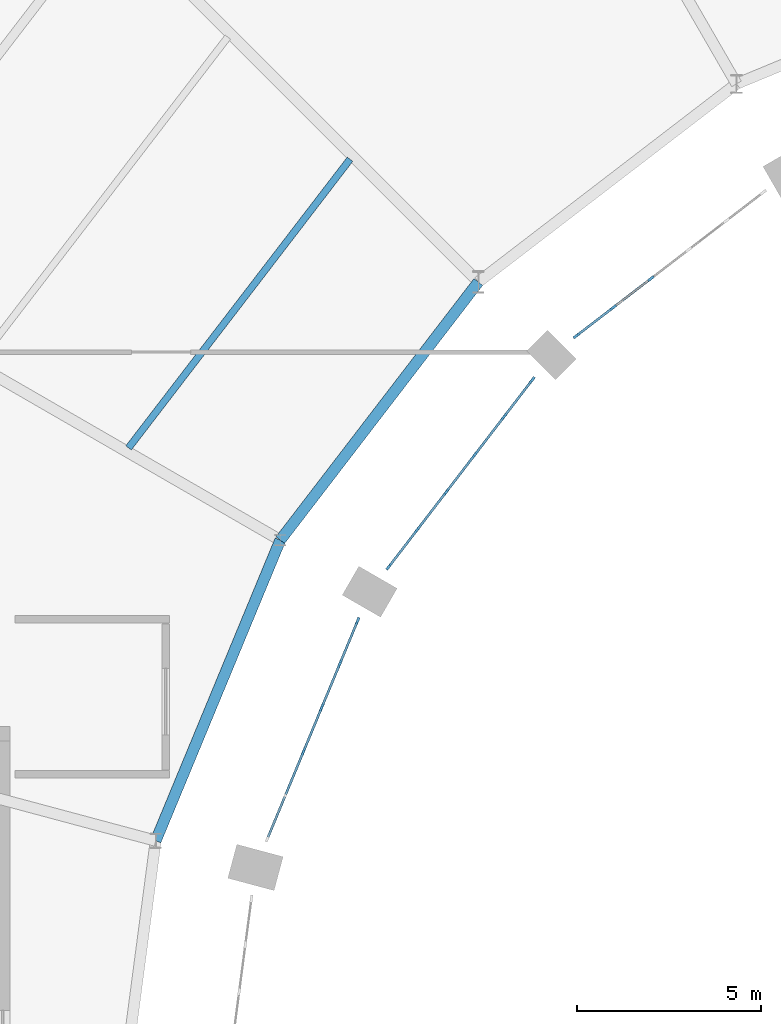
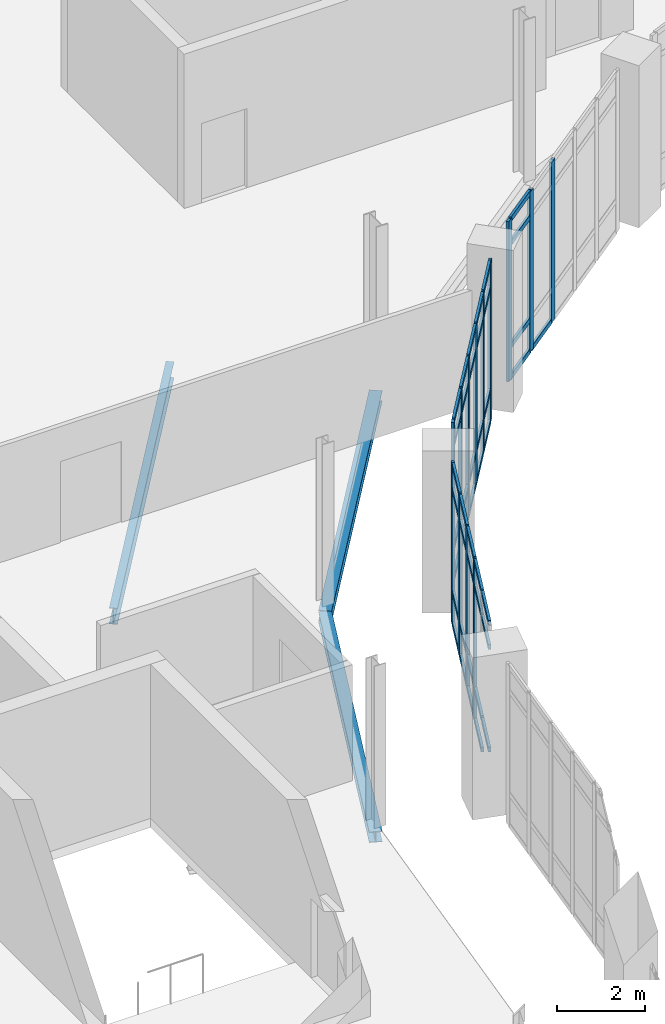
# One storey, part 31 of 67: 57 members, 3 beams, 3 elements without a shape of their own.
"""IFC4 building model written with IfcOpenShell, lengths in metres."""

from ifc_helpers import new_model, si_unit, direction, frame, origin, origin_2d, place, context, subcontext, project, spatial, rectangle, i_section, extrude, material, layer, layer_set, material_profile, profile_set, type_object, element, aggregate, save


model = new_model("IFC4")

# Units and contexts
model_context = context("Model", 3, precision=1e-05, world=origin(), true_north=direction((0.0, 1.0)))
body_context = subcontext(model_context, "Body", "Model", "MODEL_VIEW")
ifc_project = project(units=[si_unit("LENGTHUNIT", "METRE"), si_unit("AREAUNIT", "SQUARE_METRE"), si_unit("VOLUMEUNIT", "CUBIC_METRE"), si_unit("PLANEANGLEUNIT", "RADIAN"), si_unit("MASSUNIT", "GRAM", prefix="KILO")], contexts=[model_context])

# Site, building, storey
site_placement = place(None, origin())
site = spatial("IfcSite", under=ifc_project, at=site_placement, CompositionType="ELEMENT")
building_placement = place(site_placement, origin())
building = spatial("IfcBuilding", under=site, at=building_placement, Name="Sohan Crest Arena", CompositionType="ELEMENT")
storey_placement = place(building_placement, frame((0.0, 0.0, 22.5)))
storey = spatial("IfcBuildingStorey", under=building, at=storey_placement, Name="L05", CompositionType="ELEMENT", Elevation=22.5)

# Curtain wall, members
ifc_material_1 = material(Name="Thermally broken anodised aluminium", Category="aluminium")
ifc_layer = layer(ifc_material_1, 0.18994140625, Name="Thermally broken anodised aluminium")
ifc_layer_set = layer_set([ifc_layer], Name="Thermally broken anodised aluminium")
curtain_wall_type = type_object("IfcCurtainWallType", Name="ARC-CW05", PredefinedType="NOTDEFINED", material=ifc_layer_set)
curtain_wall_1_placement = place(storey_placement, origin())
curtain_wall_1 = element("IfcCurtainWall", 1, at=curtain_wall_1_placement, inside=storey, type_object=curtain_wall_type, Name="Unitised curtain wall CW-168", PredefinedType="NOTDEFINED")
ifc_material_profile_1 = material_profile(ifc_material_1, rectangle(XDim=0.070068359375, YDim=0.199951171875, at=origin_2d()), Name="ALU-MULL 70x200")
ifc_profile_set_1 = profile_set([ifc_material_profile_1], Name="Thermally broken anodised aluminium")
member_type_1 = type_object("IfcMemberType", Name="ARC-CW-ML03", PredefinedType="MULLION", material=ifc_profile_set_1)
member_1_placement = place(storey_placement, frame((78.7783203125, 101.990478515625, 0.0), z_axis=(0.0, 0.0, 1.0), x_axis=(0.608939000248, -0.793217053508, 0.0)))
member_1 = element("IfcMember", 2, at=member_1_placement, type_object=member_type_1, Name="CW-168 mullion 4", PredefinedType="MULLION", context=body_context, shape_type="SweptSolid", body=[
    extrude(rectangle(XDim=0.070068359375, YDim=0.199951171875, at=origin_2d()), origin(), (0.0, 0.0, 1.0), 4.449951171875),
])
member_2_placement = place(storey_placement, frame((77.754638671875, 101.204833984375, 0.0), z_axis=(0.0, 0.0, 1.0), x_axis=(0.608939000248, -0.793217053508, 0.0)))
member_2 = element("IfcMember", 3, at=member_2_placement, type_object=member_type_1, Name="CW-168 mullion 5", PredefinedType="MULLION", context=body_context, shape_type="SweptSolid", body=[
    extrude(rectangle(XDim=0.070068359375, YDim=0.199951171875, at=origin_2d()), origin(), (0.0, 0.0, 1.0), 4.449951171875),
])
member_3_placement = place(storey_placement, frame((76.7587890625, 100.4404296875, 0.0), z_axis=(0.0, 0.0, 1.0), x_axis=(0.608939000248, -0.793217053508, 0.0)))
member_3 = element("IfcMember", 4, at=member_3_placement, type_object=member_type_1, Name="CW-168 mullion 6", PredefinedType="MULLION", context=body_context, shape_type="SweptSolid", body=[
    extrude(rectangle(XDim=0.070068359375, YDim=0.199951171875, at=origin_2d()), origin(), (0.0, 0.0, 1.0), 4.449951171875),
])

curtain_wall_2_placement = place(storey_placement, origin())
curtain_wall_2 = element("IfcCurtainWall", 5, at=curtain_wall_2_placement, inside=storey, type_object=curtain_wall_type, Name="Unitised curtain wall CW-170", PredefinedType="NOTDEFINED")
member_4_placement = place(storey_placement, frame((75.5595703125, 99.2412109375, 0.0), z_axis=(0.0, 0.0, 1.0), x_axis=(0.793217053508, -0.608939000248, 0.0)))
member_4 = element("IfcMember", 6, at=member_4_placement, type_object=member_type_1, Name="CW-170 mullion 1", PredefinedType="MULLION", context=body_context, shape_type="SweptSolid", body=[
    extrude(rectangle(XDim=0.070068359375, YDim=0.199951171875, at=origin_2d()), origin(), (0.0, 0.0, 1.0), 4.449951171875),
])
member_5_placement = place(storey_placement, frame((74.795166015625, 98.245361328125, 0.0), z_axis=(0.0, 0.0, 1.0), x_axis=(0.793217053508, -0.608939000248, 0.0)))
member_5 = element("IfcMember", 7, at=member_5_placement, type_object=member_type_1, Name="CW-170 mullion 2", PredefinedType="MULLION", context=body_context, shape_type="SweptSolid", body=[
    extrude(rectangle(XDim=0.070068359375, YDim=0.199951171875, at=origin_2d()), origin(), (0.0, 0.0, 1.0), 4.449951171875),
])
member_6_placement = place(storey_placement, frame((74.009521484375, 97.2216796875, 0.0), z_axis=(0.0, 0.0, 1.0), x_axis=(0.793217053508, -0.608939000248, 0.0)))
member_6 = element("IfcMember", 8, at=member_6_placement, type_object=member_type_1, Name="CW-170 mullion 3", PredefinedType="MULLION", context=body_context, shape_type="SweptSolid", body=[
    extrude(rectangle(XDim=0.070068359375, YDim=0.199951171875, at=origin_2d()), origin(), (0.0, 0.0, 1.0), 4.449951171875),
])
member_7_placement = place(storey_placement, frame((73.2236328125, 96.1982421875, 0.0), z_axis=(0.0, 0.0, 1.0), x_axis=(0.793217053508, -0.608939000248, 0.0)))
member_7 = element("IfcMember", 9, at=member_7_placement, type_object=member_type_1, Name="CW-170 mullion 4", PredefinedType="MULLION", context=body_context, shape_type="SweptSolid", body=[
    extrude(rectangle(XDim=0.070068359375, YDim=0.199951171875, at=origin_2d()), origin(), (0.0, 0.0, 1.0), 4.449951171875),
])
member_8_placement = place(storey_placement, frame((72.437744140625, 95.174560546875, 0.0), z_axis=(0.0, 0.0, 1.0), x_axis=(0.793217053508, -0.608939000248, 0.0)))
member_8 = element("IfcMember", 10, at=member_8_placement, type_object=member_type_1, Name="CW-170 mullion 5", PredefinedType="MULLION", context=body_context, shape_type="SweptSolid", body=[
    extrude(rectangle(XDim=0.070068359375, YDim=0.199951171875, at=origin_2d()), origin(), (0.0, 0.0, 1.0), 4.449951171875),
])
member_9_placement = place(storey_placement, frame((71.67333984375, 94.1787109375, 0.0), z_axis=(0.0, 0.0, 1.0), x_axis=(0.793217053508, -0.608939000248, 0.0)))
member_9 = element("IfcMember", 11, at=member_9_placement, type_object=member_type_1, Name="CW-170 mullion 6", PredefinedType="MULLION", context=body_context, shape_type="SweptSolid", body=[
    extrude(rectangle(XDim=0.070068359375, YDim=0.199951171875, at=origin_2d()), origin(), (0.0, 0.0, 1.0), 4.449951171875),
])

curtain_wall_3_placement = place(storey_placement, origin())
curtain_wall_3 = element("IfcCurtainWall", 12, at=curtain_wall_3_placement, inside=storey, type_object=curtain_wall_type, Name="Unitised curtain wall CW-172", PredefinedType="NOTDEFINED")
member_10_placement = place(storey_placement, frame((70.82568359375, 92.709716796875, 0.0), z_axis=(0.0, 0.0, 1.0), x_axis=(0.923886494023, -0.382666625357, 0.0)))
member_10 = element("IfcMember", 13, at=member_10_placement, type_object=member_type_1, Name="CW-172 mullion 1", PredefinedType="MULLION", context=body_context, shape_type="SweptSolid", body=[
    extrude(rectangle(XDim=0.070068359375, YDim=0.199951171875, at=origin_2d()), origin(), (0.0, 0.0, 1.0), 4.449951171875),
])
member_11_placement = place(storey_placement, frame((70.34521484375, 91.5498046875, 0.0), z_axis=(0.0, 0.0, 1.0), x_axis=(0.923886494023, -0.382666625357, 0.0)))
member_11 = element("IfcMember", 14, at=member_11_placement, type_object=member_type_1, Name="CW-172 mullion 2", PredefinedType="MULLION", context=body_context, shape_type="SweptSolid", body=[
    extrude(rectangle(XDim=0.070068359375, YDim=0.199951171875, at=origin_2d()), origin(), (0.0, 0.0, 1.0), 4.449951171875),
])
member_12_placement = place(storey_placement, frame((69.851318359375, 90.357666015625, 0.0), z_axis=(0.0, 0.0, 1.0), x_axis=(0.923886494023, -0.382666625357, 0.0)))
member_12 = element("IfcMember", 15, at=member_12_placement, type_object=member_type_1, Name="CW-172 mullion 3", PredefinedType="MULLION", context=body_context, shape_type="SweptSolid", body=[
    extrude(rectangle(XDim=0.070068359375, YDim=0.199951171875, at=origin_2d()), origin(), (0.0, 0.0, 1.0), 4.449951171875),
])
member_13_placement = place(storey_placement, frame((69.357666015625, 89.165283203125, 0.0), z_axis=(0.0, 0.0, 1.0), x_axis=(0.923886494023, -0.382666625357, 0.0)))
member_13 = element("IfcMember", 16, at=member_13_placement, type_object=member_type_1, Name="CW-172 mullion 4", PredefinedType="MULLION", context=body_context, shape_type="SweptSolid", body=[
    extrude(rectangle(XDim=0.070068359375, YDim=0.199951171875, at=origin_2d()), origin(), (0.0, 0.0, 1.0), 4.449951171875),
])

# Member
ifc_material_profile_2 = material_profile(ifc_material_1, rectangle(XDim=0.06494140625, YDim=0.139892578125, at=origin_2d()), Name="ALU-TRAN 65x140")
ifc_profile_set_2 = profile_set([ifc_material_profile_2], Name="Thermally broken anodised aluminium")
member_type_2 = type_object("IfcMemberType", Name="ARC-CW-TR02", PredefinedType="USERDEFINED", material=ifc_profile_set_2)
member_14_placement = place(storey_placement, frame((78.75048828125, 101.96923828125, 0.032470703125), z_axis=(-0.793203705004, -0.608956387903, 0.0), x_axis=(0.608956387903, -0.793203705004, 0.0)))
member_14 = element("IfcMember", 17, at=member_14_placement, type_object=member_type_2, Name="CW-168 transom 4.1", ObjectType="TRANSOM", PredefinedType="USERDEFINED", context=body_context, shape_type="SweptSolid", body=[
    extrude(rectangle(XDim=0.06494140625, YDim=0.139892578125, at=origin_2d()), origin(), (0.0, 0.0, 1.0), 1.220458984375),
])

member_15_placement = place(storey_placement, frame((77.726806640625, 101.18359375, 0.032470703125), z_axis=(-0.793151990467, -0.609023743394, 0.0), x_axis=(0.609023743394, -0.793151990467, 0.0)))
member_15 = element("IfcMember", 18, at=member_15_placement, type_object=member_type_2, Name="CW-168 transom 5.1", ObjectType="TRANSOM", PredefinedType="USERDEFINED", context=body_context, shape_type="SweptSolid", body=[
    extrude(rectangle(XDim=0.06494140625, YDim=0.139892578125, at=origin_2d()), origin(), (0.0, 0.0, 1.0), 1.185302734375),
])

member_16_placement = place(storey_placement, frame((77.726806640625, 101.18359375, 0.89990234375), z_axis=(-0.793151990467, -0.609023743394, 0.0), x_axis=(0.609023743394, -0.793151990467, 0.0)))
member_16 = element("IfcMember", 19, at=member_16_placement, type_object=member_type_2, Name="CW-168 transom 5.2", ObjectType="TRANSOM", PredefinedType="USERDEFINED", context=body_context, shape_type="SweptSolid", body=[
    extrude(rectangle(XDim=0.06494140625, YDim=0.139892578125, at=origin_2d()), origin(), (0.0, 0.0, 1.0), 1.185302734375),
])

member_17_placement = place(storey_placement, frame((77.726806640625, 101.18359375, 3.75), z_axis=(-0.793151990467, -0.609023743394, 0.0), x_axis=(0.609023743394, -0.793151990467, 0.0)))
member_17 = element("IfcMember", 20, at=member_17_placement, type_object=member_type_2, Name="CW-168 transom 5.3", ObjectType="TRANSOM", PredefinedType="USERDEFINED", context=body_context, shape_type="SweptSolid", body=[
    extrude(rectangle(XDim=0.06494140625, YDim=0.139892578125, at=origin_2d()), origin(), (0.0, 0.0, 1.0), 1.185302734375),
])

member_18_placement = place(storey_placement, frame((77.726806640625, 101.18359375, 4.41748046875), z_axis=(-0.793151990467, -0.609023743394, 0.0), x_axis=(0.609023743394, -0.793151990467, 0.0)))
member_18 = element("IfcMember", 21, at=member_18_placement, type_object=member_type_2, Name="CW-168 transom 5.4", ObjectType="TRANSOM", PredefinedType="USERDEFINED", context=body_context, shape_type="SweptSolid", body=[
    extrude(rectangle(XDim=0.06494140625, YDim=0.139892578125, at=origin_2d()), origin(), (0.0, 0.0, 1.0), 1.185302734375),
])

aggregate(curtain_wall_1, [member_1, member_2, member_3, member_14, member_15, member_16, member_17, member_18])

member_19_placement = place(storey_placement, frame((75.538330078125, 99.21337890625, 0.032470703125), z_axis=(-0.609023743394, -0.793151990467, 0.0), x_axis=(0.793151990467, -0.609023743394, 0.0)))
member_19 = element("IfcMember", 22, at=member_19_placement, type_object=member_type_2, Name="CW-170 transom 1.1", ObjectType="TRANSOM", PredefinedType="USERDEFINED", context=body_context, shape_type="SweptSolid", body=[
    extrude(rectangle(XDim=0.06494140625, YDim=0.139892578125, at=origin_2d()), origin(), (0.0, 0.0, 1.0), 1.185302734375),
])

member_20_placement = place(storey_placement, frame((75.538330078125, 99.21337890625, 0.89990234375), z_axis=(-0.609023743394, -0.793151990467, 0.0), x_axis=(0.793151990467, -0.609023743394, 0.0)))
member_20 = element("IfcMember", 23, at=member_20_placement, type_object=member_type_2, Name="CW-170 transom 1.2", ObjectType="TRANSOM", PredefinedType="USERDEFINED", context=body_context, shape_type="SweptSolid", body=[
    extrude(rectangle(XDim=0.06494140625, YDim=0.139892578125, at=origin_2d()), origin(), (0.0, 0.0, 1.0), 1.185302734375),
])

member_21_placement = place(storey_placement, frame((75.538330078125, 99.21337890625, 3.75), z_axis=(-0.609023743394, -0.793151990467, 0.0), x_axis=(0.793151990467, -0.609023743394, 0.0)))
member_21 = element("IfcMember", 24, at=member_21_placement, type_object=member_type_2, Name="CW-170 transom 1.3", ObjectType="TRANSOM", PredefinedType="USERDEFINED", context=body_context, shape_type="SweptSolid", body=[
    extrude(rectangle(XDim=0.06494140625, YDim=0.139892578125, at=origin_2d()), origin(), (0.0, 0.0, 1.0), 1.185302734375),
])

member_22_placement = place(storey_placement, frame((75.538330078125, 99.21337890625, 4.41748046875), z_axis=(-0.609023743394, -0.793151990467, 0.0), x_axis=(0.793151990467, -0.609023743394, 0.0)))
member_22 = element("IfcMember", 25, at=member_22_placement, type_object=member_type_2, Name="CW-170 transom 1.4", ObjectType="TRANSOM", PredefinedType="USERDEFINED", context=body_context, shape_type="SweptSolid", body=[
    extrude(rectangle(XDim=0.06494140625, YDim=0.139892578125, at=origin_2d()), origin(), (0.0, 0.0, 1.0), 1.185302734375),
])

member_23_placement = place(storey_placement, frame((74.77392578125, 98.217529296875, 0.032470703125), z_axis=(-0.608956387903, -0.793203705004, 0.0), x_axis=(0.793203705004, -0.608956387903, 0.0)))
member_23 = element("IfcMember", 26, at=member_23_placement, type_object=member_type_2, Name="CW-170 transom 2.1", ObjectType="TRANSOM", PredefinedType="USERDEFINED", context=body_context, shape_type="SweptSolid", body=[
    extrude(rectangle(XDim=0.06494140625, YDim=0.139892578125, at=origin_2d()), origin(), (0.0, 0.0, 1.0), 1.220458984375),
])

member_24_placement = place(storey_placement, frame((74.77392578125, 98.217529296875, 0.89990234375), z_axis=(-0.608956387903, -0.793203705004, 0.0), x_axis=(0.793203705004, -0.608956387903, 0.0)))
member_24 = element("IfcMember", 27, at=member_24_placement, type_object=member_type_2, Name="CW-170 transom 2.2", ObjectType="TRANSOM", PredefinedType="USERDEFINED", context=body_context, shape_type="SweptSolid", body=[
    extrude(rectangle(XDim=0.06494140625, YDim=0.139892578125, at=origin_2d()), origin(), (0.0, 0.0, 1.0), 1.220458984375),
])

member_25_placement = place(storey_placement, frame((74.77392578125, 98.217529296875, 3.75), z_axis=(-0.608956387903, -0.793203705004, 0.0), x_axis=(0.793203705004, -0.608956387903, 0.0)))
member_25 = element("IfcMember", 28, at=member_25_placement, type_object=member_type_2, Name="CW-170 transom 2.3", ObjectType="TRANSOM", PredefinedType="USERDEFINED", context=body_context, shape_type="SweptSolid", body=[
    extrude(rectangle(XDim=0.06494140625, YDim=0.139892578125, at=origin_2d()), origin(), (0.0, 0.0, 1.0), 1.220458984375),
])

member_26_placement = place(storey_placement, frame((74.77392578125, 98.217529296875, 4.41748046875), z_axis=(-0.608956387903, -0.793203705004, 0.0), x_axis=(0.793203705004, -0.608956387903, 0.0)))
member_26 = element("IfcMember", 29, at=member_26_placement, type_object=member_type_2, Name="CW-170 transom 2.4", ObjectType="TRANSOM", PredefinedType="USERDEFINED", context=body_context, shape_type="SweptSolid", body=[
    extrude(rectangle(XDim=0.06494140625, YDim=0.139892578125, at=origin_2d()), origin(), (0.0, 0.0, 1.0), 1.220458984375),
])

member_27_placement = place(storey_placement, frame((73.988037109375, 97.194091796875, 0.032470703125), z_axis=(-0.608956387903, -0.793203705004, 0.0), x_axis=(0.793203705004, -0.608956387903, 0.0)))
member_27 = element("IfcMember", 30, at=member_27_placement, type_object=member_type_2, Name="CW-170 transom 3.1", ObjectType="TRANSOM", PredefinedType="USERDEFINED", context=body_context, shape_type="SweptSolid", body=[
    extrude(rectangle(XDim=0.06494140625, YDim=0.139892578125, at=origin_2d()), origin(), (0.0, 0.0, 1.0), 1.220458984375),
])

member_28_placement = place(storey_placement, frame((73.988037109375, 97.194091796875, 0.89990234375), z_axis=(-0.608956387903, -0.793203705004, 0.0), x_axis=(0.793203705004, -0.608956387903, 0.0)))
member_28 = element("IfcMember", 31, at=member_28_placement, type_object=member_type_2, Name="CW-170 transom 3.2", ObjectType="TRANSOM", PredefinedType="USERDEFINED", context=body_context, shape_type="SweptSolid", body=[
    extrude(rectangle(XDim=0.06494140625, YDim=0.139892578125, at=origin_2d()), origin(), (0.0, 0.0, 1.0), 1.220458984375),
])

member_29_placement = place(storey_placement, frame((73.988037109375, 97.194091796875, 3.75), z_axis=(-0.608956387903, -0.793203705004, 0.0), x_axis=(0.793203705004, -0.608956387903, 0.0)))
member_29 = element("IfcMember", 32, at=member_29_placement, type_object=member_type_2, Name="CW-170 transom 3.3", ObjectType="TRANSOM", PredefinedType="USERDEFINED", context=body_context, shape_type="SweptSolid", body=[
    extrude(rectangle(XDim=0.06494140625, YDim=0.139892578125, at=origin_2d()), origin(), (0.0, 0.0, 1.0), 1.220458984375),
])

member_30_placement = place(storey_placement, frame((73.988037109375, 97.194091796875, 4.41748046875), z_axis=(-0.608956387903, -0.793203705004, 0.0), x_axis=(0.793203705004, -0.608956387903, 0.0)))
member_30 = element("IfcMember", 33, at=member_30_placement, type_object=member_type_2, Name="CW-170 transom 3.4", ObjectType="TRANSOM", PredefinedType="USERDEFINED", context=body_context, shape_type="SweptSolid", body=[
    extrude(rectangle(XDim=0.06494140625, YDim=0.139892578125, at=origin_2d()), origin(), (0.0, 0.0, 1.0), 1.220458984375),
])

member_31_placement = place(storey_placement, frame((73.202392578125, 96.17041015625, 0.032470703125), z_axis=(-0.608956387903, -0.793203705004, 0.0), x_axis=(0.793203705004, -0.608956387903, 0.0)))
member_31 = element("IfcMember", 34, at=member_31_placement, type_object=member_type_2, Name="CW-170 transom 4.1", ObjectType="TRANSOM", PredefinedType="USERDEFINED", context=body_context, shape_type="SweptSolid", body=[
    extrude(rectangle(XDim=0.06494140625, YDim=0.139892578125, at=origin_2d()), origin(), (0.0, 0.0, 1.0), 1.220458984375),
])

member_32_placement = place(storey_placement, frame((73.202392578125, 96.17041015625, 0.89990234375), z_axis=(-0.608956387903, -0.793203705004, 0.0), x_axis=(0.793203705004, -0.608956387903, 0.0)))
member_32 = element("IfcMember", 35, at=member_32_placement, type_object=member_type_2, Name="CW-170 transom 4.2", ObjectType="TRANSOM", PredefinedType="USERDEFINED", context=body_context, shape_type="SweptSolid", body=[
    extrude(rectangle(XDim=0.06494140625, YDim=0.139892578125, at=origin_2d()), origin(), (0.0, 0.0, 1.0), 1.220458984375),
])

member_33_placement = place(storey_placement, frame((73.202392578125, 96.17041015625, 3.75), z_axis=(-0.608956387903, -0.793203705004, 0.0), x_axis=(0.793203705004, -0.608956387903, 0.0)))
member_33 = element("IfcMember", 36, at=member_33_placement, type_object=member_type_2, Name="CW-170 transom 4.3", ObjectType="TRANSOM", PredefinedType="USERDEFINED", context=body_context, shape_type="SweptSolid", body=[
    extrude(rectangle(XDim=0.06494140625, YDim=0.139892578125, at=origin_2d()), origin(), (0.0, 0.0, 1.0), 1.220458984375),
])

member_34_placement = place(storey_placement, frame((73.202392578125, 96.17041015625, 4.41748046875), z_axis=(-0.608956387903, -0.793203705004, 0.0), x_axis=(0.793203705004, -0.608956387903, 0.0)))
member_34 = element("IfcMember", 37, at=member_34_placement, type_object=member_type_2, Name="CW-170 transom 4.4", ObjectType="TRANSOM", PredefinedType="USERDEFINED", context=body_context, shape_type="SweptSolid", body=[
    extrude(rectangle(XDim=0.06494140625, YDim=0.139892578125, at=origin_2d()), origin(), (0.0, 0.0, 1.0), 1.220458984375),
])

member_35_placement = place(storey_placement, frame((72.41650390625, 95.146728515625, 0.032470703125), z_axis=(-0.609023743394, -0.793151990467, 0.0), x_axis=(0.793151990467, -0.609023743394, 0.0)))
member_35 = element("IfcMember", 38, at=member_35_placement, type_object=member_type_2, Name="CW-170 transom 5.1", ObjectType="TRANSOM", PredefinedType="USERDEFINED", context=body_context, shape_type="SweptSolid", body=[
    extrude(rectangle(XDim=0.06494140625, YDim=0.139892578125, at=origin_2d()), origin(), (0.0, 0.0, 1.0), 1.185302734375),
])

member_36_placement = place(storey_placement, frame((72.41650390625, 95.146728515625, 0.89990234375), z_axis=(-0.609023743394, -0.793151990467, 0.0), x_axis=(0.793151990467, -0.609023743394, 0.0)))
member_36 = element("IfcMember", 39, at=member_36_placement, type_object=member_type_2, Name="CW-170 transom 5.2", ObjectType="TRANSOM", PredefinedType="USERDEFINED", context=body_context, shape_type="SweptSolid", body=[
    extrude(rectangle(XDim=0.06494140625, YDim=0.139892578125, at=origin_2d()), origin(), (0.0, 0.0, 1.0), 1.185302734375),
])

member_37_placement = place(storey_placement, frame((72.41650390625, 95.146728515625, 3.75), z_axis=(-0.609023743394, -0.793151990467, 0.0), x_axis=(0.793151990467, -0.609023743394, 0.0)))
member_37 = element("IfcMember", 40, at=member_37_placement, type_object=member_type_2, Name="CW-170 transom 5.3", ObjectType="TRANSOM", PredefinedType="USERDEFINED", context=body_context, shape_type="SweptSolid", body=[
    extrude(rectangle(XDim=0.06494140625, YDim=0.139892578125, at=origin_2d()), origin(), (0.0, 0.0, 1.0), 1.185302734375),
])

member_38_placement = place(storey_placement, frame((72.41650390625, 95.146728515625, 4.41748046875), z_axis=(-0.609023743394, -0.793151990467, 0.0), x_axis=(0.793151990467, -0.609023743394, 0.0)))
member_38 = element("IfcMember", 41, at=member_38_placement, type_object=member_type_2, Name="CW-170 transom 5.4", ObjectType="TRANSOM", PredefinedType="USERDEFINED", context=body_context, shape_type="SweptSolid", body=[
    extrude(rectangle(XDim=0.06494140625, YDim=0.139892578125, at=origin_2d()), origin(), (0.0, 0.0, 1.0), 1.185302734375),
])

aggregate(curtain_wall_2, [member_4, member_5, member_6, member_7, member_8, member_9, member_19, member_20, member_21, member_22, member_23, member_24, member_25, member_26, member_27, member_28, member_29, member_30, member_31, member_32, member_33, member_34, member_35, member_36, member_37, member_38])

member_39_placement = place(storey_placement, frame((70.812255859375, 92.67724609375, 0.032470703125), z_axis=(-0.382654947151, -0.923891330959, 0.0), x_axis=(0.923891330959, -0.382654947151, 0.0)))
member_39 = element("IfcMember", 42, at=member_39_placement, type_object=member_type_2, Name="CW-172 transom 1.1", ObjectType="TRANSOM", PredefinedType="USERDEFINED", context=body_context, shape_type="SweptSolid", body=[
    extrude(rectangle(XDim=0.06494140625, YDim=0.139892578125, at=origin_2d()), origin(), (0.0, 0.0, 1.0), 1.185546875),
])

member_40_placement = place(storey_placement, frame((70.812255859375, 92.67724609375, 0.89990234375), z_axis=(-0.382654947151, -0.923891330959, 0.0), x_axis=(0.923891330959, -0.382654947151, 0.0)))
member_40 = element("IfcMember", 43, at=member_40_placement, type_object=member_type_2, Name="CW-172 transom 1.2", ObjectType="TRANSOM", PredefinedType="USERDEFINED", context=body_context, shape_type="SweptSolid", body=[
    extrude(rectangle(XDim=0.06494140625, YDim=0.139892578125, at=origin_2d()), origin(), (0.0, 0.0, 1.0), 1.185546875),
])

member_41_placement = place(storey_placement, frame((70.812255859375, 92.67724609375, 3.75), z_axis=(-0.382654947151, -0.923891330959, 0.0), x_axis=(0.923891330959, -0.382654947151, 0.0)))
member_41 = element("IfcMember", 44, at=member_41_placement, type_object=member_type_2, Name="CW-172 transom 1.3", ObjectType="TRANSOM", PredefinedType="USERDEFINED", context=body_context, shape_type="SweptSolid", body=[
    extrude(rectangle(XDim=0.06494140625, YDim=0.139892578125, at=origin_2d()), origin(), (0.0, 0.0, 1.0), 1.185546875),
])

member_42_placement = place(storey_placement, frame((70.812255859375, 92.67724609375, 4.41748046875), z_axis=(-0.382654947151, -0.923891330959, 0.0), x_axis=(0.923891330959, -0.382654947151, 0.0)))
member_42 = element("IfcMember", 45, at=member_42_placement, type_object=member_type_2, Name="CW-172 transom 1.4", ObjectType="TRANSOM", PredefinedType="USERDEFINED", context=body_context, shape_type="SweptSolid", body=[
    extrude(rectangle(XDim=0.06494140625, YDim=0.139892578125, at=origin_2d()), origin(), (0.0, 0.0, 1.0), 1.185546875),
])

member_43_placement = place(storey_placement, frame((70.331787109375, 91.517578125, 0.032470703125), z_axis=(-0.382640332417, -0.923897383917, 0.0), x_axis=(0.923897383917, -0.382640332417, 0.0)))
member_43 = element("IfcMember", 46, at=member_43_placement, type_object=member_type_2, Name="CW-172 transom 2.1", ObjectType="TRANSOM", PredefinedType="USERDEFINED", context=body_context, shape_type="SweptSolid", body=[
    extrude(rectangle(XDim=0.06494140625, YDim=0.139892578125, at=origin_2d()), origin(), (0.0, 0.0, 1.0), 1.220458984375),
])

member_44_placement = place(storey_placement, frame((70.331787109375, 91.517578125, 0.89990234375), z_axis=(-0.382640332417, -0.923897383917, 0.0), x_axis=(0.923897383917, -0.382640332417, 0.0)))
member_44 = element("IfcMember", 47, at=member_44_placement, type_object=member_type_2, Name="CW-172 transom 2.2", ObjectType="TRANSOM", PredefinedType="USERDEFINED", context=body_context, shape_type="SweptSolid", body=[
    extrude(rectangle(XDim=0.06494140625, YDim=0.139892578125, at=origin_2d()), origin(), (0.0, 0.0, 1.0), 1.220458984375),
])

member_45_placement = place(storey_placement, frame((70.331787109375, 91.517578125, 3.75), z_axis=(-0.382640332417, -0.923897383917, 0.0), x_axis=(0.923897383917, -0.382640332417, 0.0)))
member_45 = element("IfcMember", 48, at=member_45_placement, type_object=member_type_2, Name="CW-172 transom 2.3", ObjectType="TRANSOM", PredefinedType="USERDEFINED", context=body_context, shape_type="SweptSolid", body=[
    extrude(rectangle(XDim=0.06494140625, YDim=0.139892578125, at=origin_2d()), origin(), (0.0, 0.0, 1.0), 1.220458984375),
])

member_46_placement = place(storey_placement, frame((70.331787109375, 91.517578125, 4.41748046875), z_axis=(-0.382640332417, -0.923897383917, 0.0), x_axis=(0.923897383917, -0.382640332417, 0.0)))
member_46 = element("IfcMember", 49, at=member_46_placement, type_object=member_type_2, Name="CW-172 transom 2.4", ObjectType="TRANSOM", PredefinedType="USERDEFINED", context=body_context, shape_type="SweptSolid", body=[
    extrude(rectangle(XDim=0.06494140625, YDim=0.139892578125, at=origin_2d()), origin(), (0.0, 0.0, 1.0), 1.220458984375),
])

member_47_placement = place(storey_placement, frame((69.837890625, 90.3251953125, 0.032470703125), z_axis=(-0.382540280289, -0.92393881505, 0.0), x_axis=(0.92393881505, -0.382540280289, 0.0)))
member_47 = element("IfcMember", 50, at=member_47_placement, type_object=member_type_2, Name="CW-172 transom 3.1", ObjectType="TRANSOM", PredefinedType="USERDEFINED", context=body_context, shape_type="SweptSolid", body=[
    extrude(rectangle(XDim=0.06494140625, YDim=0.139892578125, at=origin_2d()), origin(), (0.0, 0.0, 1.0), 1.22021484375),
])

member_48_placement = place(storey_placement, frame((69.837890625, 90.3251953125, 0.89990234375), z_axis=(-0.382540280289, -0.92393881505, 0.0), x_axis=(0.92393881505, -0.382540280289, 0.0)))
member_48 = element("IfcMember", 51, at=member_48_placement, type_object=member_type_2, Name="CW-172 transom 3.2", ObjectType="TRANSOM", PredefinedType="USERDEFINED", context=body_context, shape_type="SweptSolid", body=[
    extrude(rectangle(XDim=0.06494140625, YDim=0.139892578125, at=origin_2d()), origin(), (0.0, 0.0, 1.0), 1.22021484375),
])

member_49_placement = place(storey_placement, frame((69.837890625, 90.3251953125, 3.75), z_axis=(-0.382540280289, -0.92393881505, 0.0), x_axis=(0.92393881505, -0.382540280289, 0.0)))
member_49 = element("IfcMember", 52, at=member_49_placement, type_object=member_type_2, Name="CW-172 transom 3.3", ObjectType="TRANSOM", PredefinedType="USERDEFINED", context=body_context, shape_type="SweptSolid", body=[
    extrude(rectangle(XDim=0.06494140625, YDim=0.139892578125, at=origin_2d()), origin(), (0.0, 0.0, 1.0), 1.22021484375),
])

member_50_placement = place(storey_placement, frame((69.837890625, 90.3251953125, 4.41748046875), z_axis=(-0.382540280289, -0.92393881505, 0.0), x_axis=(0.92393881505, -0.382540280289, 0.0)))
member_50 = element("IfcMember", 53, at=member_50_placement, type_object=member_type_2, Name="CW-172 transom 3.4", ObjectType="TRANSOM", PredefinedType="USERDEFINED", context=body_context, shape_type="SweptSolid", body=[
    extrude(rectangle(XDim=0.06494140625, YDim=0.139892578125, at=origin_2d()), origin(), (0.0, 0.0, 1.0), 1.22021484375),
])

member_51_placement = place(storey_placement, frame((69.34423828125, 89.133056640625, 0.032470703125), z_axis=(-0.382711055899, -0.923868089985, 0.0), x_axis=(0.923868089985, -0.382711055899, 0.0)))
member_51 = element("IfcMember", 54, at=member_51_placement, type_object=member_type_2, Name="CW-172 transom 4.1", ObjectType="TRANSOM", PredefinedType="USERDEFINED", context=body_context, shape_type="SweptSolid", body=[
    extrude(rectangle(XDim=0.06494140625, YDim=0.139892578125, at=origin_2d()), origin(), (0.0, 0.0, 1.0), 1.220458984375),
])

member_52_placement = place(storey_placement, frame((69.34423828125, 89.133056640625, 0.89990234375), z_axis=(-0.382711055899, -0.923868089985, 0.0), x_axis=(0.923868089985, -0.382711055899, 0.0)))
member_52 = element("IfcMember", 55, at=member_52_placement, type_object=member_type_2, Name="CW-172 transom 4.2", ObjectType="TRANSOM", PredefinedType="USERDEFINED", context=body_context, shape_type="SweptSolid", body=[
    extrude(rectangle(XDim=0.06494140625, YDim=0.139892578125, at=origin_2d()), origin(), (0.0, 0.0, 1.0), 1.220458984375),
])

member_53_placement = place(storey_placement, frame((69.34423828125, 89.133056640625, 3.75), z_axis=(-0.382711055899, -0.923868089985, 0.0), x_axis=(0.923868089985, -0.382711055899, 0.0)))
member_53 = element("IfcMember", 56, at=member_53_placement, type_object=member_type_2, Name="CW-172 transom 4.3", ObjectType="TRANSOM", PredefinedType="USERDEFINED", context=body_context, shape_type="SweptSolid", body=[
    extrude(rectangle(XDim=0.06494140625, YDim=0.139892578125, at=origin_2d()), origin(), (0.0, 0.0, 1.0), 1.220458984375),
])

member_54_placement = place(storey_placement, frame((69.34423828125, 89.133056640625, 4.41748046875), z_axis=(-0.382711055899, -0.923868089985, 0.0), x_axis=(0.923868089985, -0.382711055899, 0.0)))
member_54 = element("IfcMember", 57, at=member_54_placement, type_object=member_type_2, Name="CW-172 transom 4.4", ObjectType="TRANSOM", PredefinedType="USERDEFINED", context=body_context, shape_type="SweptSolid", body=[
    extrude(rectangle(XDim=0.06494140625, YDim=0.139892578125, at=origin_2d()), origin(), (0.0, 0.0, 1.0), 1.220458984375),
])

member_55_placement = place(storey_placement, frame((68.850341796875, 87.94091796875, 0.89990234375), z_axis=(-0.382654947151, -0.923891330959, 0.0), x_axis=(0.923891330959, -0.382654947151, 0.0)))
member_55 = element("IfcMember", 58, at=member_55_placement, type_object=member_type_2, Name="CW-172 transom 5.2", ObjectType="TRANSOM", PredefinedType="USERDEFINED", context=body_context, shape_type="SweptSolid", body=[
    extrude(rectangle(XDim=0.06494140625, YDim=0.139892578125, at=origin_2d()), origin(), (0.0, 0.0, 1.0), 1.185546875),
])

member_56_placement = place(storey_placement, frame((68.850341796875, 87.94091796875, 3.75), z_axis=(-0.382654947151, -0.923891330959, 0.0), x_axis=(0.923891330959, -0.382654947151, 0.0)))
member_56 = element("IfcMember", 59, at=member_56_placement, type_object=member_type_2, Name="CW-172 transom 5.3", ObjectType="TRANSOM", PredefinedType="USERDEFINED", context=body_context, shape_type="SweptSolid", body=[
    extrude(rectangle(XDim=0.06494140625, YDim=0.139892578125, at=origin_2d()), origin(), (0.0, 0.0, 1.0), 1.185546875),
])

member_57_placement = place(storey_placement, frame((68.850341796875, 87.94091796875, 4.41748046875), z_axis=(-0.382654947151, -0.923891330959, 0.0), x_axis=(0.923891330959, -0.382654947151, 0.0)))
member_57 = element("IfcMember", 60, at=member_57_placement, type_object=member_type_2, Name="CW-172 transom 5.4", ObjectType="TRANSOM", PredefinedType="USERDEFINED", context=body_context, shape_type="SweptSolid", body=[
    extrude(rectangle(XDim=0.06494140625, YDim=0.139892578125, at=origin_2d()), origin(), (0.0, 0.0, 1.0), 1.185546875),
])

aggregate(curtain_wall_3, [member_10, member_11, member_12, member_13, member_39, member_40, member_41, member_42, member_43, member_44, member_45, member_46, member_47, member_48, member_49, member_50, member_51, member_52, member_53, member_54, member_55, member_56, member_57])

# Beams
ifc_material_2 = material(Name="Steel S355", Category="steel")
ifc_material_profile_3 = material_profile(ifc_material_2, i_section(OverallWidth=0.18994140625, OverallDepth=0.449951171875, WebThickness=0.009521484375, FlangeThickness=0.0146484375, at=origin_2d()), Name="IPE 450")
ifc_profile_set_3 = profile_set([ifc_material_profile_3], Name="Steel S355")
beam_type_1 = type_object("IfcBeamType", Name="STR-BM-B04", PredefinedType="JOIST", material=ifc_profile_set_3)
beam_1_placement = place(storey_placement, frame((70.618896484375, 105.22705078125, -0.47509765625), z_axis=(-0.608739091659, -0.793370479843, 0.0), x_axis=(0.793370479843, -0.608739091659, 0.0)))
element("IfcBeam", 61, at=beam_1_placement, inside=storey, type_object=beam_type_1, Name="Structural beam J-L05-1723", PredefinedType="JOIST", context=body_context, shape_type="SweptSolid", body=[
    extrude(i_section(OverallWidth=0.18994140625, OverallDepth=0.449951171875, WebThickness=0.009521484375, FlangeThickness=0.0146484375, at=origin_2d()), origin(), (0.0, 0.0, 1.0), 9.864501953125),
])
ifc_material_profile_4 = material_profile(ifc_material_2, i_section(OverallWidth=0.300048828125, OverallDepth=0.300048828125, WebThickness=0.010986328125, FlangeThickness=0.01904296875, at=origin_2d()), Name="HEB 300")
ifc_profile_set_4 = profile_set([ifc_material_profile_4], Name="Steel S355")
beam_type_2 = type_object("IfcBeamType", Name="STR-BM-B12", PredefinedType="BEAM", material=ifc_profile_set_4)
beam_2_placement = place(storey_placement, frame((74.10009765625, 101.89990234375, -0.39990234375), z_axis=(-0.608817165336, -0.793310569192, 0.0), x_axis=(0.793310569192, -0.608817165336, 0.0)))
element("IfcBeam", 62, at=beam_2_placement, inside=storey, type_object=beam_type_2, Name="Structural beam G-L05-1721", PredefinedType="BEAM", context=body_context, shape_type="SweptSolid", body=[
    extrude(i_section(OverallWidth=0.300048828125, OverallDepth=0.300048828125, WebThickness=0.010986328125, FlangeThickness=0.01904296875, at=origin_2d()), origin(), (0.0, 0.0, 1.0), 8.82373046875),
])
beam_3_placement = place(storey_placement, frame((68.72802734375, 94.89990234375, -0.39990234375), z_axis=(-0.38262224111, -0.923904876385, 0.0), x_axis=(0.923904876385, -0.38262224111, 0.0)))
element("IfcBeam", 63, at=beam_3_placement, inside=storey, type_object=beam_type_2, Name="Structural beam G-L05-1726", PredefinedType="BEAM", context=body_context, shape_type="SweptSolid", body=[
    extrude(i_section(OverallWidth=0.300048828125, OverallDepth=0.300048828125, WebThickness=0.010986328125, FlangeThickness=0.01904296875, at=origin_2d()), origin(), (0.0, 0.0, 1.0), 8.8232421875),
])

save(model, "model.ifc")
